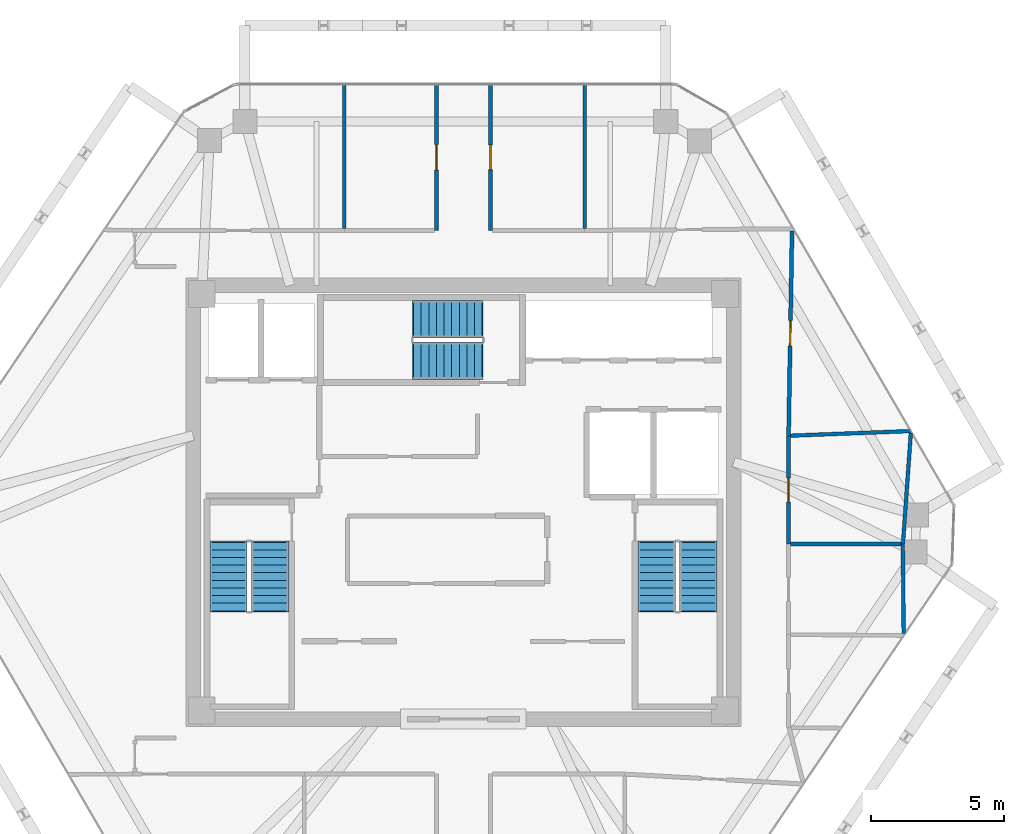
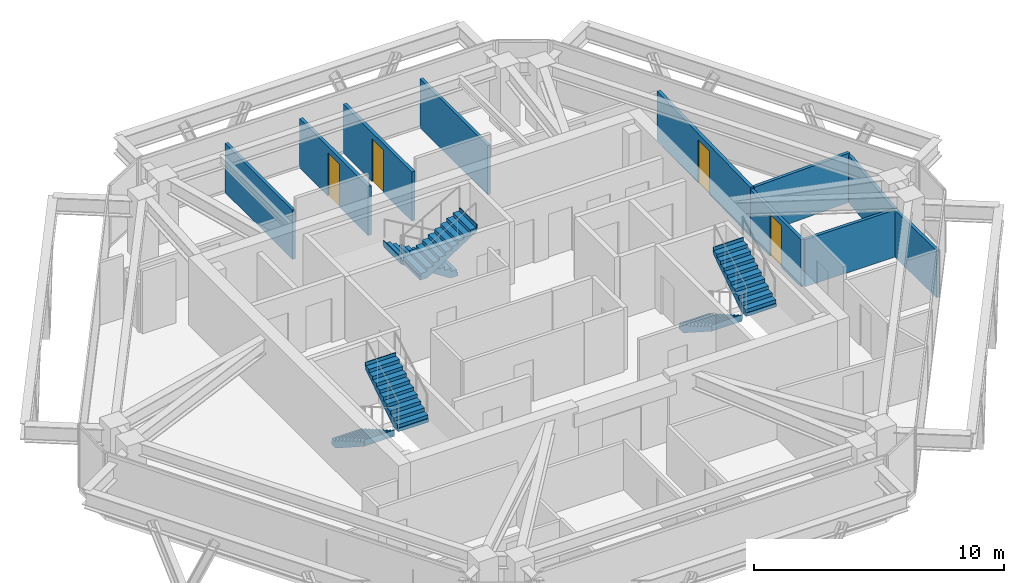
# One storey, part 10 of 11: 10 walls, 6 stair flights, 4 doors, 4 openings, 3 elements without a shape of their own.
"""IFC4 building model written with IfcOpenShell, lengths in metres."""

from ifc_helpers import new_model, si_unit, direction, frame, frame_2d, origin, place, context, subcontext, project, spatial, polyline, rectangle, outline, extrude, source, transform, mapped, material, layer, layer_set, type_object, type_shapes, element, fill, aggregate, save


model = new_model("IFC4")

# Units and contexts
model_context = context("Model", 3, precision=1e-05, world=origin(), true_north=direction((0.0, 1.0)))
body_context = subcontext(model_context, "Body", "Model", "MODEL_VIEW")
ifc_project = project(units=[si_unit("LENGTHUNIT", "METRE"), si_unit("AREAUNIT", "SQUARE_METRE"), si_unit("VOLUMEUNIT", "CUBIC_METRE"), si_unit("PLANEANGLEUNIT", "RADIAN"), si_unit("MASSUNIT", "GRAM", prefix="KILO")], contexts=[model_context])

# Site, building, storey
site_placement = place(None, origin())
site = spatial("IfcSite", under=ifc_project, at=site_placement, CompositionType="ELEMENT")
building_placement = place(site_placement, origin())
building = spatial("IfcBuilding", under=site, at=building_placement, Name="Durnholm Broadcast Tower", CompositionType="ELEMENT")
storey_placement = place(building_placement, frame((0.0, 0.0, 238.10009765625)))
storey = spatial("IfcBuildingStorey", under=building, at=storey_placement, Name="L66", CompositionType="ELEMENT", Elevation=238.10009765625)

# Walls
ifc_material_1 = material(Name="Gypsum Metal Stud Partition", Category="concrete")
ifc_layer_1 = layer(ifc_material_1, 0.135009765625)
ifc_layer_set_1 = layer_set([ifc_layer_1], Name="Gypsum Metal Stud Partition")
wall_type_1 = type_object("IfcWallType", Name="WALL-PART-135", PredefinedType="PARTITIONING", material=ifc_layer_set_1)
wall_1_placement = place(storey_placement, frame((-4.4599609375, 15.662109375, 0.0), z_axis=(0.0, 0.0, 1.0), x_axis=(0.0, -1.0, 0.0)))
element("IfcWall", 1, at=wall_1_placement, inside=storey, type_object=wall_type_1, Name="L66 room dividing partition 9.10", PredefinedType="PARTITIONING", context=body_context, shape_type="SweptSolid", body=[
    extrude(rectangle(XDim=5.403076171875, YDim=0.135009765625, at=frame_2d((2.70166015625, 0.0))), origin(), (0.0, 0.0, 1.0), 2.398681640625),
])
wall_2_placement = place(storey_placement, frame((4.5400390625, 15.662109375, 0.0), z_axis=(0.0, 0.0, 1.0), x_axis=(0.0, -1.0, 0.0)))
element("IfcWall", 2, at=wall_2_placement, inside=storey, type_object=wall_type_1, Name="L66 room dividing partition 11.12", PredefinedType="PARTITIONING", context=body_context, shape_type="SweptSolid", body=[
    extrude(rectangle(XDim=5.402587890625, YDim=0.135009765625, at=frame_2d((2.701171875, 0.0))), origin(), (0.0, 0.0, 1.0), 2.398681640625),
])

# Wall, opening, door
ifc_material_2 = material(Name="Acoustic Gypsum Stud Partition", Category="concrete")
ifc_layer_2 = layer(ifc_material_2, 0.14990234375)
ifc_layer_set_2 = layer_set([ifc_layer_2], Name="Acoustic Gypsum Stud Partition")
wall_type_2 = type_object("IfcWallType", Name="WALL-PART-150", PredefinedType="PARTITIONING", material=ifc_layer_set_2)
wall_3_placement = place(storey_placement, frame((-1.010009765625, 15.662109375, 0.0), z_axis=(0.0, 0.0, 1.0), x_axis=(0.0, -1.0, 0.0)))
wall_3 = element("IfcWall", 3, at=wall_3_placement, inside=storey, type_object=wall_type_2, Name="L66 Global Bureaus Meeting Room corridor partition", PredefinedType="PARTITIONING", context=body_context, shape_type="SweptSolid", body=[
    extrude(rectangle(XDim=5.482177734375, YDim=0.14990234375, at=frame_2d((2.7412109375, 0.0))), origin(), (0.0, 0.0, 1.0), 2.398681640625),
])
opening_1_placement = place(wall_3_placement, frame((2.26611328125, 0.0, 0.0)))
opening_1 = element("IfcOpeningElement", 4, at=opening_1_placement, cuts=wall_3, Name="Opening DR-95R", PredefinedType="OPENING", context=body_context, shape_type="SweptSolid", body=[
    extrude(rectangle(XDim=0.949951171875, YDim=2.10009765625, at=frame_2d((0.47509765625, 1.050048828125))), frame((0.0, 0.0849609375, 0.0), z_axis=(0.0, -1.0, 0.0), x_axis=(1.0, 0.0, 0.0)), (0.0, 0.0, 1.0), 0.169921875),
])
ifc_material_3 = material(Name="Acoustic Oak Veneer Timber Door", Category="wood")
ifc_layer_3 = layer(ifc_material_3, 0.050048828125)
ifc_layer_set_3 = layer_set([ifc_layer_3], Name="Acoustic Oak Veneer Timber Door")
door_type_1 = type_object("IfcDoorType", Name="DOOR-RM-950R", OperationType="NOTDEFINED", PredefinedType="DOOR", material=ifc_layer_set_3)
shared_shape_1 = source(origin(), body_context, "Body", "SweptSolid", [
    extrude(rectangle(XDim=0.949951171875, YDim=2.10009765625, at=frame_2d((0.47509765625, 1.050048828125))), frame((0.0, 0.02490234375, 0.0), z_axis=(0.0, -1.0, 0.0), x_axis=(1.0, 0.0, 0.0)), (0.0, 0.0, 1.0), 0.050048828125),
])
type_shapes(door_type_1, [shared_shape_1])
door_1_placement = place(opening_1_placement, origin())
door_1 = element("IfcDoor", 5, at=door_1_placement, inside=storey, type_object=door_type_1, Name="L66 Global Bureaus Meeting Room entrance door", OperationType="SINGLE_SWING_RIGHT", OverallHeight=2.10009765625, OverallWidth=0.949951171875, PredefinedType="DOOR", context=body_context, shape_type="MappedRepresentation", body=[
    mapped(shared_shape_1, transform((0.0, 0.0, 0.0), x_axis=(1.0, 0.0, 0.0), y_axis=(0.0, 1.0, 0.0), z_axis=(0.0, 0.0, 1.0), scale=1.0)),
])
fill(opening_1, door_1)

wall_4_placement = place(storey_placement, frame((1.010009765625, 10.179931640625, 0.0), z_axis=(0.0, 0.0, 1.0), x_axis=(0.0, 1.0, 0.0)))
wall_4 = element("IfcWall", 6, at=wall_4_placement, inside=storey, type_object=wall_type_2, Name="L66 Protocol Lounge corridor partition", PredefinedType="PARTITIONING", context=body_context, shape_type="SweptSolid", body=[
    extrude(rectangle(XDim=5.482177734375, YDim=0.14990234375, at=frame_2d((2.7412109375, 0.0))), origin(), (0.0, 0.0, 1.0), 2.398681640625),
])
opening_2_placement = place(wall_4_placement, frame((2.281005859375, 0.0, 0.0)))
opening_2 = element("IfcOpeningElement", 7, at=opening_2_placement, cuts=wall_4, Name="Opening DR-92L", PredefinedType="OPENING", context=body_context, shape_type="SweptSolid", body=[
    extrude(rectangle(XDim=0.919921875, YDim=2.10009765625, at=frame_2d((0.4599609375, 1.050048828125))), frame((0.0, 0.0849609375, 0.0), z_axis=(0.0, -1.0, 0.0), x_axis=(1.0, 0.0, 0.0)), (0.0, 0.0, 1.0), 0.169921875),
])
ifc_material_4 = material(Name="Oak Veneer Office Door", Category="wood")
ifc_layer_4 = layer(ifc_material_4, 0.050048828125)
ifc_layer_set_4 = layer_set([ifc_layer_4], Name="Oak Veneer Office Door")
door_type_2 = type_object("IfcDoorType", Name="DOOR-RM-920L", OperationType="NOTDEFINED", PredefinedType="DOOR", material=ifc_layer_set_4)
shared_shape_2 = source(origin(), body_context, "Body", "SweptSolid", [
    extrude(rectangle(XDim=0.919921875, YDim=2.10009765625, at=frame_2d((0.4599609375, 1.050048828125))), frame((0.0, 0.02490234375, 0.0), z_axis=(0.0, -1.0, 0.0), x_axis=(1.0, 0.0, 0.0)), (0.0, 0.0, 1.0), 0.050048828125),
])
type_shapes(door_type_2, [shared_shape_2])
door_2_placement = place(opening_2_placement, origin())
door_2 = element("IfcDoor", 8, at=door_2_placement, inside=storey, type_object=door_type_2, Name="L66 Protocol Lounge entrance door", OperationType="SINGLE_SWING_LEFT", OverallHeight=2.10009765625, OverallWidth=0.919921875, PredefinedType="DOOR", context=body_context, shape_type="MappedRepresentation", body=[
    mapped(shared_shape_2, transform((0.0, 0.0, 0.0), x_axis=(1.0, 0.0, 0.0), y_axis=(0.0, 1.0, 0.0), z_axis=(0.0, 0.0, 1.0), scale=1.0)),
])
fill(opening_2, door_2)

wall_5_placement = place(storey_placement, frame((12.181396484375, 2.489990234375, 0.0), z_axis=(0.0, 0.0, 1.0), x_axis=(0.016828669653, 0.999858387912, 0.0)))
wall_5 = element("IfcWall", 9, at=wall_5_placement, inside=storey, type_object=wall_type_2, Name="L66 Open Plan Broadcast Workspace 1 corridor partition", PredefinedType="PARTITIONING", context=body_context, shape_type="SweptSolid", body=[
    extrude(rectangle(XDim=7.67431640625, YDim=0.14990234375, at=frame_2d((3.837158203125, 0.0))), origin(), (0.0, 0.0, 1.0), 2.398681640625),
])
opening_3_placement = place(wall_5_placement, frame((3.3623046875, 0.0, 0.0)))
opening_3 = element("IfcOpeningElement", 10, at=opening_3_placement, cuts=wall_5, Name="Opening DR-95L", PredefinedType="OPENING", context=body_context, shape_type="SweptSolid", body=[
    extrude(rectangle(XDim=0.949951171875, YDim=2.10009765625, at=frame_2d((0.47509765625, 1.050048828125))), frame((0.0, 0.0849609375, 0.0), z_axis=(0.0, -1.0, 0.0), x_axis=(1.0, 0.0, 0.0)), (0.0, 0.0, 1.0), 0.169921875),
])
ifc_layer_5 = layer(ifc_material_3, 0.050048828125)
ifc_layer_set_5 = layer_set([ifc_layer_5], Name="Acoustic Oak Veneer Timber Door")
door_type_3 = type_object("IfcDoorType", Name="DOOR-RM-950L", OperationType="NOTDEFINED", PredefinedType="DOOR", material=ifc_layer_set_5)
shared_shape_3 = source(origin(), body_context, "Body", "SweptSolid", [
    extrude(rectangle(XDim=0.949951171875, YDim=2.10009765625, at=frame_2d((0.47509765625, 1.050048828125))), frame((0.0, 0.02490234375, 0.0), z_axis=(0.0, -1.0, 0.0), x_axis=(1.0, 0.0, 0.0)), (0.0, 0.0, 1.0), 0.050048828125),
])
type_shapes(door_type_3, [shared_shape_3])
door_3_placement = place(opening_3_placement, origin())
door_3 = element("IfcDoor", 11, at=door_3_placement, inside=storey, type_object=door_type_3, Name="L66 Open Plan Broadcast Workspace 1 entrance door", OperationType="SINGLE_SWING_LEFT", OverallHeight=2.10009765625, OverallWidth=0.949951171875, PredefinedType="DOOR", context=body_context, shape_type="MappedRepresentation", body=[
    mapped(shared_shape_3, transform((0.0, 0.0, 0.0), x_axis=(1.0, 0.0, 0.0), y_axis=(0.0, 1.0, 0.0), z_axis=(0.0, 0.0, 1.0), scale=1.0)),
])
fill(opening_3, door_3)

ifc_material_5 = material(Name="Moisture-Resistant Tile Partition", Category="concrete")
ifc_layer_6 = layer(ifc_material_5, 0.139892578125)
ifc_layer_set_6 = layer_set([ifc_layer_6], Name="Moisture-Resistant Tile Partition")
wall_type_3 = type_object("IfcWallType", Name="WALL-WC-140", PredefinedType="PARTITIONING", material=ifc_layer_set_6)
wall_6_placement = place(storey_placement, frame((12.179931640625, -1.56005859375, 0.0), z_axis=(0.0, 0.0, 1.0), x_axis=(0.0, 1.0, 0.0)))
wall_6 = element("IfcWall", 12, at=wall_6_placement, inside=storey, type_object=wall_type_3, Name="L66 Accessible Restroom corridor partition", PredefinedType="PARTITIONING", context=body_context, shape_type="SweptSolid", body=[
    extrude(rectangle(XDim=4.050048828125, YDim=0.139892578125, at=frame_2d((2.02490234375, 0.0))), origin(), (0.0, 0.0, 1.0), 2.30126953125),
])
opening_4_placement = place(wall_6_placement, frame((1.574951171875, 0.0, 0.0)))
opening_4 = element("IfcOpeningElement", 13, at=opening_4_placement, cuts=wall_6, Name="Opening DW-90R", PredefinedType="OPENING", context=body_context, shape_type="SweptSolid", body=[
    extrude(rectangle(XDim=0.89990234375, YDim=2.050048828125, at=frame_2d((0.449951171875, 1.02490234375))), frame((0.0, 0.080078125, 0.0), z_axis=(0.0, -1.0, 0.0), x_axis=(1.0, 0.0, 0.0)), (0.0, 0.0, 1.0), 0.159912109375),
])
ifc_material_6 = material(Name="Laminate Restroom Door", Category="steel")
ifc_layer_7 = layer(ifc_material_6, 0.050048828125)
ifc_layer_set_7 = layer_set([ifc_layer_7], Name="Laminate Restroom Door")
door_type_4 = type_object("IfcDoorType", Name="DOOR-WC-900R", OperationType="NOTDEFINED", PredefinedType="DOOR", material=ifc_layer_set_7)
shared_shape_4 = source(origin(), body_context, "Body", "SweptSolid", [
    extrude(rectangle(XDim=0.89990234375, YDim=2.050048828125, at=frame_2d((0.449951171875, 1.02490234375))), frame((0.0, 0.02490234375, 0.0), z_axis=(0.0, -1.0, 0.0), x_axis=(1.0, 0.0, 0.0)), (0.0, 0.0, 1.0), 0.050048828125),
])
type_shapes(door_type_4, [shared_shape_4])
door_4_placement = place(opening_4_placement, origin())
door_4 = element("IfcDoor", 14, at=door_4_placement, inside=storey, type_object=door_type_4, Name="L66 Accessible Restroom entrance door", OperationType="SINGLE_SWING_RIGHT", OverallHeight=2.050048828125, OverallWidth=0.89990234375, PredefinedType="DOOR", context=body_context, shape_type="MappedRepresentation", body=[
    mapped(shared_shape_4, transform((0.0, 0.0, 0.0), x_axis=(1.0, 0.0, 0.0), y_axis=(0.0, 1.0, 0.0), z_axis=(0.0, 0.0, 1.0), scale=1.0)),
])
fill(opening_4, door_4)

# Walls
wall_7_placement = place(storey_placement, frame((12.25390625, -1.56005859375, 0.0), z_axis=(0.0, 0.0, 1.0), x_axis=(1.0, 0.0, 0.0)))
element("IfcWall", 15, at=wall_7_placement, inside=storey, type_object=wall_type_3, Name="L66 room dividing partition 7.8", PredefinedType="PARTITIONING", context=body_context, shape_type="SweptSolid", body=[
    extrude(rectangle(XDim=4.2060546875, YDim=0.139892578125, at=frame_2d((2.10302734375, 0.0))), origin(), (0.0, 0.0, 1.0), 2.30126953125),
])
wall_8_placement = place(storey_placement, frame((16.4599609375, -1.56005859375, 0.0), z_axis=(0.0, 0.0, 1.0), x_axis=(0.009604446748, -0.999953876238, 0.0)))
element("IfcWall", 16, at=wall_8_placement, inside=storey, type_object=wall_type_3, Name="L66 room dividing partition 7.20", PredefinedType="PARTITIONING", context=body_context, shape_type="SweptSolid", body=[
    extrude(rectangle(XDim=3.35546875, YDim=0.139892578125, at=frame_2d((1.677734375, 0.0))), origin(), (0.0, 0.0, 1.0), 2.30126953125),
])
wall_9_placement = place(storey_placement, frame((12.260498046875, 2.4931640625, 0.0), z_axis=(0.0, 0.0, 1.0), x_axis=(0.999256206289, 0.038562082324, 0.0)))
element("IfcWall", 17, at=wall_9_placement, inside=storey, type_object=wall_type_3, Name="L66 room dividing partition 8.20", PredefinedType="PARTITIONING", context=body_context, shape_type="SweptSolid", body=[
    extrude(rectangle(XDim=4.5078125, YDim=0.139892578125, at=frame_2d((2.25390625, 0.0))), origin(), (0.0, 0.0, 1.0), 2.398681640625),
])
wall_10_placement = place(storey_placement, frame((16.759521484375, 2.5927734375, 0.0), z_axis=(0.0, 0.0, 1.0), x_axis=(-0.07055102187, -0.997508172053, 0.0)))
element("IfcWall", 18, at=wall_10_placement, inside=storey, type_object=wall_type_3, Name="L66 room dividing partition 8.20", PredefinedType="PARTITIONING", context=body_context, shape_type="SweptSolid", body=[
    extrude(rectangle(XDim=4.162841796875, YDim=0.139892578125, at=frame_2d((2.08154296875, 0.0))), origin(), (0.0, 0.0, 1.0), 2.30126953125),
])

# Stair, stair flights
ifc_material_7 = material(Name="Concrete C50/60", Category="concrete")
stair_type = type_object("IfcStairType", Name="STAIR-DL-20R1650", PredefinedType="HALF_TURN_STAIR", material=ifc_material_7)
stair_1_placement = place(storey_placement, origin())
stair_1 = element("IfcStair", 19, at=stair_1_placement, inside=storey, type_object=stair_type, Name="L66 ST-1", PredefinedType="HALF_TURN_STAIR")
stair_flight_type = type_object("IfcStairFlightType", Name="FLIGHT-DL-20R1650", PredefinedType="STRAIGHT", material=ifc_material_7)
stair_flight_1_placement = place(storey_placement, frame((-8.800048828125, -1.5, 0.0), z_axis=(0.0, 0.0, 1.0), x_axis=(0.0, -1.0, 0.0)))
stair_flight_1 = element("IfcStairFlight", 20, at=stair_flight_1_placement, type_object=stair_flight_type, Name="ST-1 flight 1", NumberOfRisers=10, NumberOfTreads=9, PredefinedType="STRAIGHT", RiserHeight=0.165, TreadLength=0.285, context=body_context, shape_type="SweptSolid", body=[
    extrude(outline(polyline([(-0.0400390625, -0.14990234375), (-0.0400390625, 0.0), (0.0, 0.0), (0.0, 0.1650390625), (0.284912109375, 0.1650390625), (0.284912109375, 0.330078125), (0.570068359375, 0.330078125), (0.570068359375, 0.4951171875), (0.85498046875, 0.4951171875), (0.85498046875, 0.659912109375), (1.139892578125, 0.659912109375), (1.139892578125, 0.824951171875), (1.425048828125, 0.824951171875), (1.425048828125, 0.989990234375), (1.7099609375, 0.989990234375), (1.7099609375, 1.155029296875), (1.9951171875, 1.155029296875), (1.9951171875, 1.320068359375), (2.280029296875, 1.320068359375), (2.280029296875, 1.485107421875), (2.56494140625, 1.485107421875), (2.56494140625, 1.64990234375), (2.60498046875, 1.64990234375), (2.60498046875, 1.5), (2.56494140625, 1.311767578125), (0.299072265625, -0.14990234375), (-0.0400390625, -0.14990234375)])), frame((0.0, 0.699951171875, 0.0), z_axis=(0.0, -1.0, 0.0), x_axis=(1.0, 0.0, 0.0)), (0.0, 0.0, 1.0), 1.39990234375),
])
stair_flight_2_placement = place(storey_placement, frame((-7.239990234375, -4.06494140625, 1.64990234375), z_axis=(0.0, 0.0, 1.0), x_axis=(0.0, 1.0, 0.0)))
stair_flight_2 = element("IfcStairFlight", 21, at=stair_flight_2_placement, type_object=stair_flight_type, Name="ST-1 flight 2", NumberOfRisers=10, NumberOfTreads=9, PredefinedType="STRAIGHT", RiserHeight=0.165, TreadLength=0.285, context=body_context, shape_type="SweptSolid", body=[
    extrude(outline(polyline([(-0.0400390625, -0.14990234375), (-0.0400390625, 0.0), (0.0, 0.0), (0.0, 0.1650390625), (0.284912109375, 0.1650390625), (0.284912109375, 0.330078125), (0.570068359375, 0.330078125), (0.570068359375, 0.4951171875), (0.85498046875, 0.4951171875), (0.85498046875, 0.659912109375), (1.139892578125, 0.659912109375), (1.139892578125, 0.824951171875), (1.425048828125, 0.824951171875), (1.425048828125, 0.989990234375), (1.7099609375, 0.989990234375), (1.7099609375, 1.155029296875), (1.9951171875, 1.155029296875), (1.9951171875, 1.320068359375), (2.280029296875, 1.320068359375), (2.280029296875, 1.485107421875), (2.56494140625, 1.485107421875), (2.56494140625, 1.64990234375), (2.60498046875, 1.64990234375), (2.60498046875, 1.5), (2.56494140625, 1.311767578125), (0.299072265625, -0.14990234375), (-0.0400390625, -0.14990234375)])), frame((0.0, 0.699951171875, 0.0), z_axis=(0.0, -1.0, 0.0), x_axis=(1.0, 0.0, 0.0)), (0.0, 0.0, 1.0), 1.39990234375),
])
aggregate(stair_1, [stair_flight_1, stair_flight_2])

stair_2_placement = place(storey_placement, origin())
stair_2 = element("IfcStair", 22, at=stair_2_placement, inside=storey, type_object=stair_type, Name="L66 ST-2", PredefinedType="HALF_TURN_STAIR")
stair_flight_3_placement = place(storey_placement, frame((7.239990234375, -1.5, 0.0), z_axis=(0.0, 0.0, 1.0), x_axis=(0.0, -1.0, 0.0)))
stair_flight_3 = element("IfcStairFlight", 23, at=stair_flight_3_placement, type_object=stair_flight_type, Name="ST-2 flight 1", NumberOfRisers=10, NumberOfTreads=9, PredefinedType="STRAIGHT", RiserHeight=0.165, TreadLength=0.285, context=body_context, shape_type="SweptSolid", body=[
    extrude(outline(polyline([(-0.0400390625, -0.14990234375), (-0.0400390625, 0.0), (0.0, 0.0), (0.0, 0.1650390625), (0.284912109375, 0.1650390625), (0.284912109375, 0.330078125), (0.570068359375, 0.330078125), (0.570068359375, 0.4951171875), (0.85498046875, 0.4951171875), (0.85498046875, 0.659912109375), (1.139892578125, 0.659912109375), (1.139892578125, 0.824951171875), (1.425048828125, 0.824951171875), (1.425048828125, 0.989990234375), (1.7099609375, 0.989990234375), (1.7099609375, 1.155029296875), (1.9951171875, 1.155029296875), (1.9951171875, 1.320068359375), (2.280029296875, 1.320068359375), (2.280029296875, 1.485107421875), (2.56494140625, 1.485107421875), (2.56494140625, 1.64990234375), (2.60498046875, 1.64990234375), (2.60498046875, 1.5), (2.56494140625, 1.311767578125), (0.299072265625, -0.14990234375), (-0.0400390625, -0.14990234375)])), frame((0.0, 0.699951171875, 0.0), z_axis=(0.0, -1.0, 0.0), x_axis=(1.0, 0.0, 0.0)), (0.0, 0.0, 1.0), 1.39990234375),
])
stair_flight_4_placement = place(storey_placement, frame((8.800048828125, -4.06494140625, 1.64990234375), z_axis=(0.0, 0.0, 1.0), x_axis=(0.0, 1.0, 0.0)))
stair_flight_4 = element("IfcStairFlight", 24, at=stair_flight_4_placement, type_object=stair_flight_type, Name="ST-2 flight 2", NumberOfRisers=10, NumberOfTreads=9, PredefinedType="STRAIGHT", RiserHeight=0.165, TreadLength=0.285, context=body_context, shape_type="SweptSolid", body=[
    extrude(outline(polyline([(-0.0400390625, -0.14990234375), (-0.0400390625, 0.0), (0.0, 0.0), (0.0, 0.1650390625), (0.284912109375, 0.1650390625), (0.284912109375, 0.330078125), (0.570068359375, 0.330078125), (0.570068359375, 0.4951171875), (0.85498046875, 0.4951171875), (0.85498046875, 0.659912109375), (1.139892578125, 0.659912109375), (1.139892578125, 0.824951171875), (1.425048828125, 0.824951171875), (1.425048828125, 0.989990234375), (1.7099609375, 0.989990234375), (1.7099609375, 1.155029296875), (1.9951171875, 1.155029296875), (1.9951171875, 1.320068359375), (2.280029296875, 1.320068359375), (2.280029296875, 1.485107421875), (2.56494140625, 1.485107421875), (2.56494140625, 1.64990234375), (2.60498046875, 1.64990234375), (2.60498046875, 1.5), (2.56494140625, 1.311767578125), (0.299072265625, -0.14990234375), (-0.0400390625, -0.14990234375)])), frame((0.0, 0.699951171875, 0.0), z_axis=(0.0, -1.0, 0.0), x_axis=(1.0, 0.0, 0.0)), (0.0, 0.0, 1.0), 1.39990234375),
])
aggregate(stair_2, [stair_flight_3, stair_flight_4])

stair_3_placement = place(storey_placement, origin())
stair_3 = element("IfcStair", 25, at=stair_3_placement, inside=storey, type_object=stair_type, Name="L66 ST-3", PredefinedType="HALF_TURN_STAIR")
stair_flight_5_placement = place(storey_placement, frame((0.699951171875, 6.860107421875, 0.0), z_axis=(0.0, 0.0, 1.0), x_axis=(-1.0, 0.0, 0.0)))
stair_flight_5 = element("IfcStairFlight", 26, at=stair_flight_5_placement, type_object=stair_flight_type, Name="ST-3 flight 1", NumberOfRisers=10, NumberOfTreads=9, PredefinedType="STRAIGHT", RiserHeight=0.165, TreadLength=0.285, context=body_context, shape_type="SweptSolid", body=[
    extrude(outline(polyline([(-0.0400390625, -0.14990234375), (-0.0400390625, 0.0), (0.0, 0.0), (0.0, 0.1650390625), (0.284912109375, 0.1650390625), (0.284912109375, 0.330078125), (0.570068359375, 0.330078125), (0.570068359375, 0.4951171875), (0.85498046875, 0.4951171875), (0.85498046875, 0.659912109375), (1.139892578125, 0.659912109375), (1.139892578125, 0.824951171875), (1.425048828125, 0.824951171875), (1.425048828125, 0.989990234375), (1.7099609375, 0.989990234375), (1.7099609375, 1.155029296875), (1.9951171875, 1.155029296875), (1.9951171875, 1.320068359375), (2.280029296875, 1.320068359375), (2.280029296875, 1.485107421875), (2.56494140625, 1.485107421875), (2.56494140625, 1.64990234375), (2.60498046875, 1.64990234375), (2.60498046875, 1.5), (2.56494140625, 1.311767578125), (0.299072265625, -0.14990234375), (-0.0400390625, -0.14990234375)])), frame((0.0, 0.699951171875, 0.0), z_axis=(0.0, -1.0, 0.0), x_axis=(1.0, 0.0, 0.0)), (0.0, 0.0, 1.0), 1.39990234375),
])
stair_flight_6_placement = place(storey_placement, frame((-1.864990234375, 5.300048828125, 1.64990234375), z_axis=(0.0, 0.0, 1.0), x_axis=(1.0, 0.0, 0.0)))
stair_flight_6 = element("IfcStairFlight", 27, at=stair_flight_6_placement, type_object=stair_flight_type, Name="ST-3 flight 2", NumberOfRisers=10, NumberOfTreads=9, PredefinedType="STRAIGHT", RiserHeight=0.165, TreadLength=0.285, context=body_context, shape_type="SweptSolid", body=[
    extrude(outline(polyline([(-0.0400390625, -0.14990234375), (-0.0400390625, 0.0), (0.0, 0.0), (0.0, 0.1650390625), (0.284912109375, 0.1650390625), (0.284912109375, 0.330078125), (0.570068359375, 0.330078125), (0.570068359375, 0.4951171875), (0.85498046875, 0.4951171875), (0.85498046875, 0.659912109375), (1.139892578125, 0.659912109375), (1.139892578125, 0.824951171875), (1.425048828125, 0.824951171875), (1.425048828125, 0.989990234375), (1.7099609375, 0.989990234375), (1.7099609375, 1.155029296875), (1.9951171875, 1.155029296875), (1.9951171875, 1.320068359375), (2.280029296875, 1.320068359375), (2.280029296875, 1.485107421875), (2.56494140625, 1.485107421875), (2.56494140625, 1.64990234375), (2.60498046875, 1.64990234375), (2.60498046875, 1.5), (2.56494140625, 1.311767578125), (0.299072265625, -0.14990234375), (-0.0400390625, -0.14990234375)])), frame((0.0, 0.699951171875, 0.0), z_axis=(0.0, -1.0, 0.0), x_axis=(1.0, 0.0, 0.0)), (0.0, 0.0, 1.0), 1.39990234375),
])
aggregate(stair_3, [stair_flight_5, stair_flight_6])

save(model, "model.ifc")
